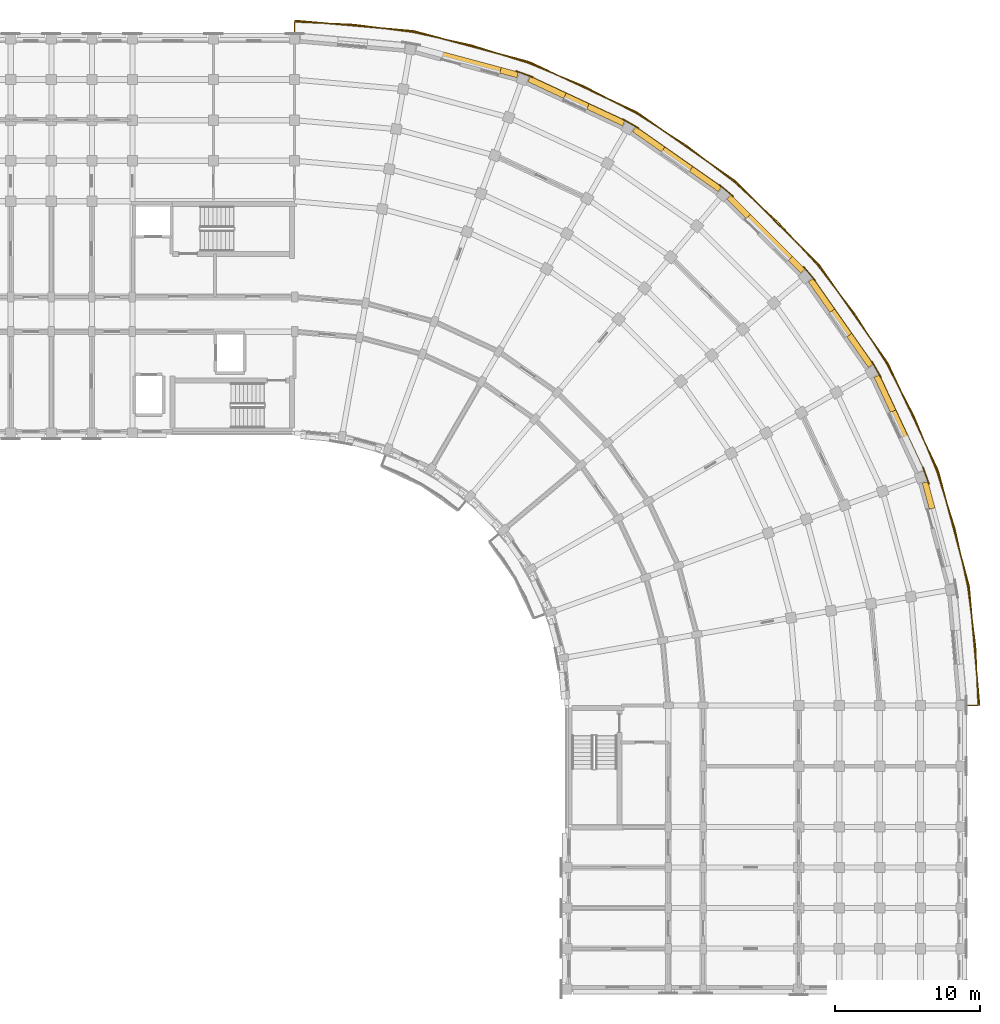
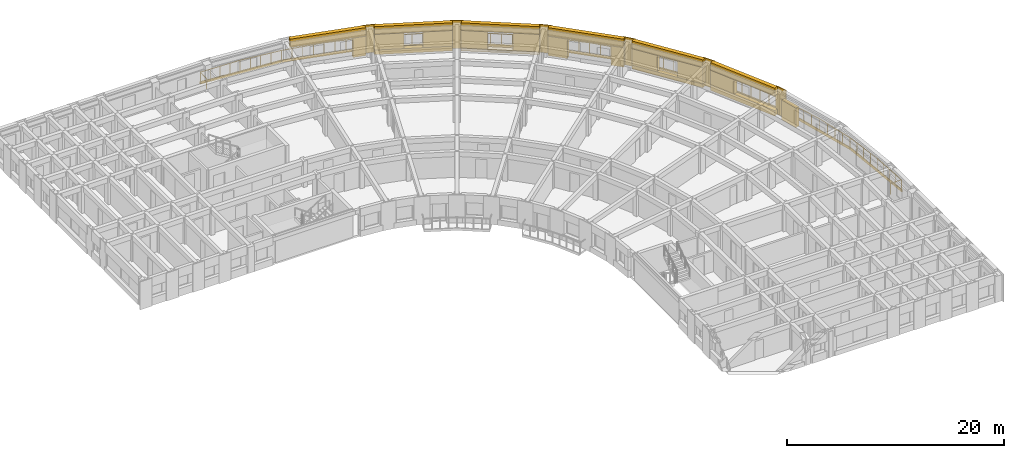
# One storey, part 55 of 57: 28 coverings, 1 railing.
"""IFC4 building model written with IfcOpenShell, lengths in metres."""

from ifc_helpers import new_model, si_unit, direction, frame, origin, origin_2d, place, context, subcontext, project, spatial, polyline, circle, outline, extrude, material, layer, layer_set, type_object, element, save


model = new_model("IFC4")

# Units and contexts
model_context = context("Model", 3, precision=1e-05, world=origin(), true_north=direction((0.0, 1.0)))
body_context = subcontext(model_context, "Body", "Model", "MODEL_VIEW")
ifc_project = project(units=[si_unit("LENGTHUNIT", "METRE"), si_unit("AREAUNIT", "SQUARE_METRE"), si_unit("VOLUMEUNIT", "CUBIC_METRE"), si_unit("PLANEANGLEUNIT", "RADIAN"), si_unit("MASSUNIT", "GRAM", prefix="KILO")], contexts=[model_context])

# Site, building, storey
site_placement = place(None, origin())
site = spatial("IfcSite", under=ifc_project, at=site_placement, CompositionType="ELEMENT")
building_placement = place(site_placement, origin())
building = spatial("IfcBuilding", under=site, at=building_placement, Name="Kiranvali Square Residences", CompositionType="ELEMENT")
storey_placement = place(building_placement, frame((0.0, 0.0, 21.300048828125)))
storey = spatial("IfcBuildingStorey", under=building, at=storey_placement, Name="L06", CompositionType="ELEMENT", Elevation=21.300048828125)

# Coverings
ifc_material_1 = material(Name="Carved Porbandar limestone classical entablature and cornice", Category="masonry")
ifc_layer_1 = layer(ifc_material_1, 0.072021484375)
ifc_layer_set_1 = layer_set([ifc_layer_1], Name="Carved Porbandar limestone classical entablature and cornice")
covering_type_1 = type_object("IfcCoveringType", Name="COV-CLAD-BAL", PredefinedType="CLADDING", material=ifc_layer_set_1)
covering_1_placement = place(storey_placement, frame((0.0, 0.0, -0.239990234375)))
element("IfcCovering", 1, at=covering_1_placement, inside=storey, type_object=covering_type_1, Name="Block B L06 continuous curved limestone balcony fascia", PredefinedType="CLADDING", context=body_context, shape_type="SweptSolid", body=[
    extrude(outline(polyline([(119.800048828125, 135.052001953125), (128.005126953125, 134.334228515625), (135.961181640625, 132.202392578125), (143.426025390625, 128.721435546875), (150.173095703125, 123.9970703125), (155.9970703125, 118.173095703125), (160.721435546875, 111.426025390625), (164.202392578125, 103.961181640625), (166.334228515625, 96.005126953125), (167.052001953125, 87.800048828125), (167.117919921875, 87.800048828125), (166.399169921875, 96.0166015625), (164.264404296875, 103.983642578125), (160.778564453125, 111.458984375), (156.047607421875, 118.21533203125), (150.21533203125, 124.047607421875), (143.458984375, 128.778564453125), (135.983642578125, 132.264404296875), (128.0166015625, 134.399169921875), (119.800048828125, 135.117919921875), (119.800048828125, 135.052001953125)])), origin(), (0.0, 0.0, 1.0), 0.300048828125),
])
ifc_material_2 = material(Name="Honed Porbandar limestone ashlar facade cladding", Category="masonry")
ifc_layer_2 = layer(ifc_material_2, 0.3798828125)
ifc_layer_set_2 = layer_set([ifc_layer_2], Name="Honed Porbandar limestone ashlar facade cladding")
covering_type_2 = type_object("IfcCoveringType", Name="COV-CLAD-JAMB", PredefinedType="CLADDING", material=ifc_layer_set_2)
covering_2_placement = place(storey_placement, origin())
element("IfcCovering", 2, at=covering_2_placement, inside=storey, type_object=covering_type_2, Name="L06 deep limestone window jamb reveal B-L06-CRV-01.R", PredefinedType="CLADDING", context=body_context, shape_type="SweptSolid", body=[
    extrude(outline(polyline([(133.961669921875, 131.447265625), (135.146728515625, 131.1298828125), (135.252685546875, 131.525390625), (134.067626953125, 131.843017578125), (133.961669921875, 131.447265625)])), origin(), (0.0, 0.0, 1.0), 2.179931640625),
])
covering_3_placement = place(storey_placement, frame((0.0, 0.0, 0.52197265625)))
element("IfcCovering", 3, at=covering_3_placement, inside=storey, type_object=covering_type_2, Name="L06 deep limestone window jamb reveal B-L06-CRV-02.L", PredefinedType="CLADDING", context=body_context, shape_type="SweptSolid", body=[
    extrude(outline(polyline([(135.895751953125, 130.857177734375), (138.373779296875, 129.70166015625), (138.546630859375, 130.072998046875), (136.068603515625, 131.228515625), (135.895751953125, 130.857177734375)])), origin(), (0.0, 0.0, 1.0), 1.75),
])
covering_4_placement = place(storey_placement, frame((0.0, 0.0, 0.52197265625)))
element("IfcCovering", 4, at=covering_4_placement, inside=storey, type_object=covering_type_2, Name="L06 deep limestone window jamb reveal B-L06-CRV-02.R", PredefinedType="CLADDING", context=body_context, shape_type="SweptSolid", body=[
    extrude(outline(polyline([(139.959716796875, 128.962158203125), (142.437744140625, 127.806640625), (142.61083984375, 128.177734375), (140.1328125, 129.333251953125), (139.959716796875, 128.962158203125)])), origin(), (0.0, 0.0, 1.0), 1.75),
])
covering_5_placement = place(storey_placement, frame((0.0, 0.0, 0.322021484375)))
element("IfcCovering", 5, at=covering_5_placement, inside=storey, type_object=covering_type_2, Name="L06 deep limestone window jamb reveal B-L06-CRV-03.L", PredefinedType="CLADDING", context=body_context, shape_type="SweptSolid", body=[
    extrude(outline(polyline([(143.1279296875, 127.408203125), (145.121826171875, 126.011962890625), (145.356689453125, 126.347412109375), (143.36279296875, 127.74365234375), (143.1279296875, 127.408203125)])), origin(), (0.0, 0.0, 1.0), 1.949951171875),
])
covering_6_placement = place(storey_placement, frame((0.0, 0.0, 0.322021484375)))
element("IfcCovering", 6, at=covering_6_placement, inside=storey, type_object=covering_type_2, Name="L06 deep limestone window jamb reveal B-L06-CRV-03.R", PredefinedType="CLADDING", context=body_context, shape_type="SweptSolid", body=[
    extrude(outline(polyline([(147.046875, 124.6640625), (149.040771484375, 123.267822265625), (149.275634765625, 123.603271484375), (147.28173828125, 124.99951171875), (147.046875, 124.6640625)])), origin(), (0.0, 0.0, 1.0), 1.949951171875),
])
covering_7_placement = place(storey_placement, origin())
element("IfcCovering", 7, at=covering_7_placement, inside=storey, type_object=covering_type_2, Name="L06 deep limestone window jamb reveal B-L06-CRV-04.L", PredefinedType="CLADDING", context=body_context, shape_type="SweptSolid", body=[
    extrude(outline(polyline([(149.6513671875, 122.755615234375), (150.978271484375, 121.4287109375), (151.267822265625, 121.71826171875), (149.94091796875, 123.045166015625), (149.6513671875, 122.755615234375)])), origin(), (0.0, 0.0, 1.0), 2.179931640625),
])
covering_8_placement = place(storey_placement, origin())
element("IfcCovering", 8, at=covering_8_placement, inside=storey, type_object=covering_type_2, Name="L06 deep limestone window jamb reveal B-L06-CRV-04.R", PredefinedType="CLADDING", context=body_context, shape_type="SweptSolid", body=[
    extrude(outline(polyline([(153.88818359375, 118.518798828125), (154.755615234375, 117.6513671875), (155.045166015625, 117.94091796875), (154.177734375, 118.808349609375), (153.88818359375, 118.518798828125)])), origin(), (0.0, 0.0, 1.0), 2.179931640625),
])
covering_9_placement = place(storey_placement, frame((0.0, 0.0, 0.421875)))
element("IfcCovering", 9, at=covering_9_placement, inside=storey, type_object=covering_type_2, Name="L06 deep limestone window jamb reveal B-L06-CRV-05.L", PredefinedType="CLADDING", context=body_context, shape_type="SweptSolid", body=[
    extrude(outline(polyline([(155.267822265625, 117.040771484375), (156.75, 114.924072265625), (157.08544921875, 115.158935546875), (155.603271484375, 117.275634765625), (155.267822265625, 117.040771484375)])), origin(), (0.0, 0.0, 1.0), 1.85009765625),
])
covering_10_placement = place(storey_placement, frame((0.0, 0.0, 0.421875)))
element("IfcCovering", 10, at=covering_10_placement, inside=storey, type_object=covering_type_2, Name="L06 deep limestone window jamb reveal B-L06-CRV-05.R", PredefinedType="CLADDING", context=body_context, shape_type="SweptSolid", body=[
    extrude(outline(polyline([(157.926025390625, 113.244873046875), (159.408203125, 111.1279296875), (159.74365234375, 111.36279296875), (158.261474609375, 113.479736328125), (157.926025390625, 113.244873046875)])), origin(), (0.0, 0.0, 1.0), 1.85009765625),
])
covering_11_placement = place(storey_placement, frame((0.0, 0.0, 0.6220703125)))
element("IfcCovering", 11, at=covering_11_placement, inside=storey, type_object=covering_type_2, Name="L06 deep limestone window jamb reveal B-L06-CRV-06.L", PredefinedType="CLADDING", context=body_context, shape_type="SweptSolid", body=[
    extrude(outline(polyline([(159.806640625, 110.437744140625), (160.930419921875, 108.027587890625), (161.301513671875, 108.20068359375), (160.177734375, 110.61083984375), (159.806640625, 110.437744140625)])), origin(), (0.0, 0.0, 1.0), 1.64990234375),
])
covering_12_placement = place(storey_placement, origin())
element("IfcCovering", 12, at=covering_12_placement, inside=storey, type_object=covering_type_2, Name="L06 deep limestone window jamb reveal B-L06-CRV-07.L", PredefinedType="CLADDING", context=body_context, shape_type="SweptSolid", body=[
    extrude(outline(polyline([(163.1298828125, 103.146728515625), (163.615478515625, 101.334228515625), (164.010986328125, 101.440185546875), (163.525390625, 103.252685546875), (163.1298828125, 103.146728515625)])), origin(), (0.0, 0.0, 1.0), 2.179931640625),
])
ifc_layer_3 = layer(ifc_material_2, 0.06494140625)
ifc_layer_set_3 = layer_set([ifc_layer_3], Name="Honed Porbandar limestone ashlar facade cladding")
covering_type_3 = type_object("IfcCoveringType", Name="COV-CLAD-PIER", PredefinedType="CLADDING", material=ifc_layer_set_3)
covering_13_placement = place(storey_placement, frame((0.0, 0.0, 0.0048828125)))
element("IfcCovering", 13, at=covering_13_placement, inside=storey, type_object=covering_type_3, Name="L06 Classical limestone corner pilaster CLAD-PR-B-L06-A02", PredefinedType="CLADDING", context=body_context, shape_type="SweptSolid", body=[
    extrude(outline(polyline([(136.267822265625, 131.203125), (135.083984375, 131.634033203125), (135.060791015625, 131.57080078125), (136.244873046875, 131.1396484375), (136.267822265625, 131.203125)])), origin(), (0.0, 0.0, 1.0), 3.14013671875),
])
covering_14_placement = place(storey_placement, frame((0.0, 0.0, 0.0048828125)))
element("IfcCovering", 14, at=covering_14_placement, inside=storey, type_object=covering_type_3, Name="L06 Classical limestone corner pilaster CLAD-PR-B-L06-A03", PredefinedType="CLADDING", context=body_context, shape_type="SweptSolid", body=[
    extrude(outline(polyline([(143.5546875, 127.68408203125), (142.46337890625, 128.314208984375), (142.4296875, 128.255615234375), (143.520751953125, 127.625732421875), (143.5546875, 127.68408203125)])), origin(), (0.0, 0.0, 1.0), 3.14013671875),
])
covering_15_placement = place(storey_placement, frame((0.0, 0.0, 0.0048828125)))
element("IfcCovering", 15, at=covering_15_placement, inside=storey, type_object=covering_type_3, Name="L06 Classical limestone corner pilaster CLAD-PR-B-L06-A04", PredefinedType="CLADDING", context=body_context, shape_type="SweptSolid", body=[
    extrude(outline(polyline([(150.11962890625, 122.953369140625), (149.154296875, 123.76318359375), (149.11083984375, 123.71142578125), (150.076171875, 122.901611328125), (150.11962890625, 122.953369140625)])), origin(), (0.0, 0.0, 1.0), 3.14013671875),
])
covering_16_placement = place(storey_placement, frame((0.0, 0.0, 0.0048828125)))
element("IfcCovering", 16, at=covering_16_placement, inside=storey, type_object=covering_type_3, Name="L06 Classical limestone corner pilaster CLAD-PR-B-L06-A05", PredefinedType="CLADDING", context=body_context, shape_type="SweptSolid", body=[
    extrude(outline(polyline([(155.76318359375, 117.154296875), (154.953369140625, 118.11962890625), (154.901611328125, 118.076171875), (155.71142578125, 117.11083984375), (155.76318359375, 117.154296875)])), origin(), (0.0, 0.0, 1.0), 3.14013671875),
])
covering_17_placement = place(storey_placement, frame((0.0, 0.0, 0.0048828125)))
element("IfcCovering", 17, at=covering_17_placement, inside=storey, type_object=covering_type_3, Name="L06 Classical limestone corner pilaster CLAD-PR-B-L06-A06", PredefinedType="CLADDING", context=body_context, shape_type="SweptSolid", body=[
    extrude(outline(polyline([(160.314208984375, 110.46337890625), (159.68408203125, 111.5546875), (159.625732421875, 111.520751953125), (160.255615234375, 110.4296875), (160.314208984375, 110.46337890625)])), origin(), (0.0, 0.0, 1.0), 3.14013671875),
])
covering_18_placement = place(storey_placement, frame((0.0, 0.0, 0.0048828125)))
element("IfcCovering", 18, at=covering_18_placement, inside=storey, type_object=covering_type_3, Name="L06 Classical limestone corner pilaster CLAD-PR-B-L06-A07", PredefinedType="CLADDING", context=body_context, shape_type="SweptSolid", body=[
    extrude(outline(polyline([(163.634033203125, 103.083984375), (163.203125, 104.267822265625), (163.1396484375, 104.244873046875), (163.57080078125, 103.060791015625), (163.634033203125, 103.083984375)])), origin(), (0.0, 0.0, 1.0), 3.14013671875),
])
ifc_layer_4 = layer(ifc_material_2, 0.360107421875)
ifc_layer_set_4 = layer_set([ifc_layer_4], Name="Honed Porbandar limestone ashlar facade cladding")
covering_type_4 = type_object("IfcCoveringType", Name="COV-CLAD-WALL", PredefinedType="CLADDING", material=ifc_layer_set_4)
covering_19_placement = place(storey_placement, frame((0.0, 0.0, 2.179931640625)))
element("IfcCovering", 19, at=covering_19_placement, inside=storey, type_object=covering_type_4, Name="L06 light limestone spandrel lintel B-L06-CRV-01", PredefinedType="CLADDING", context=body_context, shape_type="SweptSolid", body=[
    extrude(outline(polyline([(128.17431640625, 132.998046875), (135.146728515625, 131.1298828125), (135.252685546875, 131.525390625), (128.2802734375, 133.3935546875), (128.17431640625, 132.998046875)])), origin(), (0.0, 0.0, 1.0), 0.965087890625),
])
covering_20_placement = place(storey_placement, frame((0.0, 0.0, 2.27197265625)))
element("IfcCovering", 20, at=covering_20_placement, inside=storey, type_object=covering_type_4, Name="L06 light limestone spandrel lintel B-L06-CRV-02", PredefinedType="CLADDING", context=body_context, shape_type="SweptSolid", body=[
    extrude(outline(polyline([(135.895751953125, 130.857177734375), (142.437744140625, 127.806640625), (142.61083984375, 128.177734375), (136.068603515625, 131.228515625), (135.895751953125, 130.857177734375)])), origin(), (0.0, 0.0, 1.0), 0.873046875),
])
covering_21_placement = place(storey_placement, frame((0.0, 0.0, 0.0048828125)))
element("IfcCovering", 21, at=covering_21_placement, inside=storey, type_object=covering_type_4, Name="L06 limestone window sill apron B-L06-CRV-02", PredefinedType="CLADDING", context=body_context, shape_type="SweptSolid", body=[
    extrude(outline(polyline([(135.895751953125, 130.857177734375), (142.437744140625, 127.806640625), (142.62353515625, 128.205078125), (136.081298828125, 131.255615234375), (135.895751953125, 130.857177734375)])), origin(), (0.0, 0.0, 1.0), 0.51708984375),
])
covering_22_placement = place(storey_placement, frame((0.0, 0.0, 2.27197265625)))
element("IfcCovering", 22, at=covering_22_placement, inside=storey, type_object=covering_type_4, Name="L06 light limestone spandrel lintel B-L06-CRV-03", PredefinedType="CLADDING", context=body_context, shape_type="SweptSolid", body=[
    extrude(outline(polyline([(143.1279296875, 127.408203125), (149.040771484375, 123.267822265625), (149.275634765625, 123.603271484375), (143.36279296875, 127.74365234375), (143.1279296875, 127.408203125)])), origin(), (0.0, 0.0, 1.0), 0.873046875),
])
covering_23_placement = place(storey_placement, frame((0.0, 0.0, 0.0048828125)))
element("IfcCovering", 23, at=covering_23_placement, inside=storey, type_object=covering_type_4, Name="L06 limestone window sill apron B-L06-CRV-03", PredefinedType="CLADDING", context=body_context, shape_type="SweptSolid", body=[
    extrude(outline(polyline([(143.1279296875, 127.408203125), (149.040771484375, 123.267822265625), (149.29296875, 123.6279296875), (143.380126953125, 127.76806640625), (143.1279296875, 127.408203125)])), origin(), (0.0, 0.0, 1.0), 0.317138671875),
])
covering_24_placement = place(storey_placement, frame((0.0, 0.0, 2.179931640625)))
element("IfcCovering", 24, at=covering_24_placement, inside=storey, type_object=covering_type_4, Name="L06 light limestone spandrel lintel B-L06-CRV-04", PredefinedType="CLADDING", context=body_context, shape_type="SweptSolid", body=[
    extrude(outline(polyline([(149.6513671875, 122.755615234375), (154.755615234375, 117.6513671875), (155.045166015625, 117.94091796875), (149.94091796875, 123.045166015625), (149.6513671875, 122.755615234375)])), origin(), (0.0, 0.0, 1.0), 0.965087890625),
])
covering_25_placement = place(storey_placement, frame((0.0, 0.0, 2.27197265625)))
element("IfcCovering", 25, at=covering_25_placement, inside=storey, type_object=covering_type_4, Name="L06 light limestone spandrel lintel B-L06-CRV-05", PredefinedType="CLADDING", context=body_context, shape_type="SweptSolid", body=[
    extrude(outline(polyline([(155.267822265625, 117.040771484375), (159.408203125, 111.1279296875), (159.74365234375, 111.36279296875), (155.603271484375, 117.275634765625), (155.267822265625, 117.040771484375)])), origin(), (0.0, 0.0, 1.0), 0.873046875),
])
covering_26_placement = place(storey_placement, frame((0.0, 0.0, 0.0048828125)))
element("IfcCovering", 26, at=covering_26_placement, inside=storey, type_object=covering_type_4, Name="L06 limestone window sill apron B-L06-CRV-05", PredefinedType="CLADDING", context=body_context, shape_type="SweptSolid", body=[
    extrude(outline(polyline([(155.267822265625, 117.040771484375), (159.408203125, 111.1279296875), (159.76806640625, 111.380126953125), (155.6279296875, 117.29296875), (155.267822265625, 117.040771484375)])), origin(), (0.0, 0.0, 1.0), 0.4169921875),
])
covering_27_placement = place(storey_placement, frame((0.0, 0.0, 2.27197265625)))
element("IfcCovering", 27, at=covering_27_placement, inside=storey, type_object=covering_type_4, Name="L06 light limestone spandrel lintel B-L06-CRV-06", PredefinedType="CLADDING", context=body_context, shape_type="SweptSolid", body=[
    extrude(outline(polyline([(159.806640625, 110.437744140625), (162.857177734375, 103.895751953125), (163.228515625, 104.068603515625), (160.177734375, 110.61083984375), (159.806640625, 110.437744140625)])), origin(), (0.0, 0.0, 1.0), 0.873046875),
])
covering_28_placement = place(storey_placement, frame((0.0, 0.0, 0.0048828125)))
element("IfcCovering", 28, at=covering_28_placement, inside=storey, type_object=covering_type_4, Name="L06 limestone window sill apron B-L06-CRV-06", PredefinedType="CLADDING", context=body_context, shape_type="SweptSolid", body=[
    extrude(outline(polyline([(159.806640625, 110.437744140625), (162.857177734375, 103.895751953125), (163.255615234375, 104.081298828125), (160.205078125, 110.62353515625), (159.806640625, 110.437744140625)])), origin(), (0.0, 0.0, 1.0), 0.6171875),
])

# Railing
ifc_material_3 = material(Name="Powder-coated architectural bronze balustrade", Category="steel")
railing_type = type_object("IfcRailingType", Name="RL-BAL-GOLD-1200", PredefinedType="BALUSTRADE", material=ifc_material_3)
railing_placement = place(storey_placement, frame((119.800048828125, 133.840087890625, 0.0)))
element("IfcRailing", 29, at=railing_placement, inside=storey, type_object=railing_type, Name="Block B L06 continuous curved corner gold balustrade", PredefinedType="BALUSTRADE", context=body_context, shape_type="SweptSolid", body=[
    extrude(circle(Radius=0.02392578125, at=origin_2d()), frame((0.0, 0.0, 1.17578125), z_axis=(0.0, 1.0, 0.0), x_axis=(-1.0, 0.0, 0.0)), (0.0, 0.0, 1.0), 1.14990234375),
    extrude(circle(Radius=0.02392578125, at=origin_2d()), frame((0.0, 1.14990234375, 1.17578125), z_axis=(0.999049544955, -0.043589066576, 0.0), x_axis=(0.043589066576, 0.999049544955, 0.0)), (0.0, 0.0, 1.0), 4.11669921875),
    extrude(circle(Radius=0.02392578125, at=origin_2d()), frame((4.11279296875, 0.970458984375, 1.17578125), z_axis=(0.991444603928, -0.1305281477, 0.0), x_axis=(0.1305281477, 0.991444603928, 0.0)), (0.0, 0.0, 1.0), 4.11669921875),
    extrude(circle(Radius=0.02392578125, at=origin_2d()), frame((8.1943359375, 0.43310546875, 1.17578125), z_axis=(0.976292989924, -0.216453223181, 0.0), x_axis=(0.216453223181, 0.976292989924, 0.0)), (0.0, 0.0, 1.0), 4.116943359375),
    extrude(circle(Radius=0.02392578125, at=origin_2d()), frame((12.213623046875, -0.4580078125, 1.17578125), z_axis=(0.953710744932, -0.300725481131, 0.0), x_axis=(0.300725481131, 0.953710744932, 0.0)), (0.0, 0.0, 1.0), 4.116943359375),
    extrude(circle(Radius=0.02392578125, at=origin_2d()), frame((16.139892578125, -1.696044921875, 1.17578125), z_axis=(0.923880226262, -0.382681757498, 0.0), x_axis=(0.382681757498, 0.923880226262, 0.0)), (0.0, 0.0, 1.0), 4.116943359375),
    extrude(circle(Radius=0.02392578125, at=origin_2d()), frame((19.943359375, -3.271484375, 1.17578125), z_axis=(0.887013781313, -0.461742949877, 0.0), x_axis=(0.461742949877, 0.887013781313, 0.0)), (0.0, 0.0, 1.0), 4.11669921875),
    extrude(circle(Radius=0.02392578125, at=origin_2d()), frame((23.594970703125, -5.17236328125, 1.17578125), z_axis=(0.843402550976, -0.537282176335, 0.0), x_axis=(0.537282176335, 0.843402550976, 0.0)), (0.0, 0.0, 1.0), 4.116943359375),
    extrude(circle(Radius=0.02392578125, at=origin_2d()), frame((27.067138671875, -7.38427734375, 1.17578125), z_axis=(0.793339967331, -0.608778856594, 0.0), x_axis=(0.608778856594, 0.793339967331, 0.0)), (0.0, 0.0, 1.0), 4.11669921875),
    extrude(circle(Radius=0.02392578125, at=origin_2d()), frame((30.3330078125, -9.890380859375, 1.17578125), z_axis=(0.737299356654, -0.675566176386, 0.0), x_axis=(0.675566176386, 0.737299356654, 0.0)), (0.0, 0.0, 1.0), 4.116943359375),
    extrude(circle(Radius=0.02392578125, at=origin_2d()), frame((33.368408203125, -12.671630859375, 1.17578125), z_axis=(0.675566176386, -0.737299356654, 0.0), x_axis=(0.737299356654, 0.675566176386, 0.0)), (0.0, 0.0, 1.0), 4.116943359375),
    extrude(circle(Radius=0.02392578125, at=origin_2d()), frame((36.149658203125, -15.70703125, 1.17578125), z_axis=(0.608778856594, -0.793339967331, 0.0), x_axis=(0.793339967331, 0.608778856594, 0.0)), (0.0, 0.0, 1.0), 4.11669921875),
    extrude(circle(Radius=0.02392578125, at=origin_2d()), frame((38.65576171875, -18.972900390625, 1.17578125), z_axis=(0.537282176335, -0.843402550976, 0.0), x_axis=(0.843402550976, 0.537282176335, 0.0)), (0.0, 0.0, 1.0), 4.116943359375),
    extrude(circle(Radius=0.02392578125, at=origin_2d()), frame((40.86767578125, -22.445068359375, 1.17578125), z_axis=(0.461742949877, -0.887013781313, 0.0), x_axis=(0.887013781313, 0.461742949877, 0.0)), (0.0, 0.0, 1.0), 4.11669921875),
    extrude(circle(Radius=0.02392578125, at=origin_2d()), frame((42.7685546875, -26.0966796875, 1.17578125), z_axis=(0.382681757498, -0.923880226262, 0.0), x_axis=(0.923880226262, 0.382681757498, 0.0)), (0.0, 0.0, 1.0), 4.116943359375),
    extrude(circle(Radius=0.02392578125, at=origin_2d()), frame((44.343994140625, -29.900146484375, 1.17578125), z_axis=(0.300725481131, -0.953710744932, 0.0), x_axis=(0.953710744932, 0.300725481131, 0.0)), (0.0, 0.0, 1.0), 4.116943359375),
    extrude(circle(Radius=0.02392578125, at=origin_2d()), frame((45.58203125, -33.826416015625, 1.17578125), z_axis=(0.216453223181, -0.976292989924, 0.0), x_axis=(0.976292989924, 0.216453223181, 0.0)), (0.0, 0.0, 1.0), 4.116943359375),
    extrude(circle(Radius=0.02392578125, at=origin_2d()), frame((46.47314453125, -37.845703125, 1.17578125), z_axis=(0.1305281477, -0.991444603928, 0.0), x_axis=(0.991444603928, 0.1305281477, 0.0)), (0.0, 0.0, 1.0), 4.11669921875),
    extrude(circle(Radius=0.02392578125, at=origin_2d()), frame((47.010498046875, -41.92724609375, 1.17578125), z_axis=(0.043589066576, -0.999049544955, 0.0), x_axis=(0.999049544955, 0.043589066576, 0.0)), (0.0, 0.0, 1.0), 4.11669921875),
    extrude(circle(Radius=0.02392578125, at=origin_2d()), frame((47.18994140625, -46.0400390625, 1.17578125), z_axis=(-1.0, 0.0, 0.0), x_axis=(0.0, -1.0, 0.0)), (0.0, 0.0, 1.0), 1.14990234375),
    extrude(circle(Radius=0.02099609375, at=origin_2d()), origin(), (0.0, 0.0, 1.0), 1.15185546875),
    extrude(circle(Radius=0.02099609375, at=origin_2d()), frame((0.0, 1.14990234375, 0.0)), (0.0, 0.0, 1.0), 1.15185546875),
    extrude(circle(Radius=0.02099609375, at=origin_2d()), frame((1.0283203125, 1.10498046875, 0.0)), (0.0, 0.0, 1.0), 1.15185546875),
    extrude(circle(Radius=0.02099609375, at=origin_2d()), frame((2.056396484375, 1.06005859375, 0.0)), (0.0, 0.0, 1.0), 1.15185546875),
    extrude(circle(Radius=0.02099609375, at=origin_2d()), frame((3.08447265625, 1.015380859375, 0.0)), (0.0, 0.0, 1.0), 1.15185546875),
    extrude(circle(Radius=0.02099609375, at=origin_2d()), frame((4.11279296875, 0.970458984375, 0.0)), (0.0, 0.0, 1.0), 1.15185546875),
    extrude(circle(Radius=0.02099609375, at=origin_2d()), frame((5.13330078125, 0.836181640625, 0.0)), (0.0, 0.0, 1.0), 1.15185546875),
    extrude(circle(Radius=0.02099609375, at=origin_2d()), frame((6.153564453125, 0.70166015625, 0.0)), (0.0, 0.0, 1.0), 1.15185546875),
    extrude(circle(Radius=0.02099609375, at=origin_2d()), frame((7.173828125, 0.5673828125, 0.0)), (0.0, 0.0, 1.0), 1.15185546875),
    extrude(circle(Radius=0.02099609375, at=origin_2d()), frame((8.1943359375, 0.43310546875, 0.0)), (0.0, 0.0, 1.0), 1.15185546875),
    extrude(circle(Radius=0.02099609375, at=origin_2d()), frame((9.19921875, 0.21044921875, 0.0)), (0.0, 0.0, 1.0), 1.15185546875),
    extrude(circle(Radius=0.02099609375, at=origin_2d()), frame((10.2041015625, -0.012451171875, 0.0)), (0.0, 0.0, 1.0), 1.15185546875),
    extrude(circle(Radius=0.02099609375, at=origin_2d()), frame((11.208740234375, -0.2353515625, 0.0)), (0.0, 0.0, 1.0), 1.15185546875),
    extrude(circle(Radius=0.02099609375, at=origin_2d()), frame((12.213623046875, -0.4580078125, 0.0)), (0.0, 0.0, 1.0), 1.15185546875),
    extrude(circle(Radius=0.02099609375, at=origin_2d()), frame((13.1953125, -0.767578125, 0.0)), (0.0, 0.0, 1.0), 1.15185546875),
    extrude(circle(Radius=0.02099609375, at=origin_2d()), frame((14.1767578125, -1.0771484375, 0.0)), (0.0, 0.0, 1.0), 1.15185546875),
    extrude(circle(Radius=0.02099609375, at=origin_2d()), frame((15.158203125, -1.386474609375, 0.0)), (0.0, 0.0, 1.0), 1.15185546875),
    extrude(circle(Radius=0.02099609375, at=origin_2d()), frame((16.139892578125, -1.696044921875, 0.0)), (0.0, 0.0, 1.0), 1.15185546875),
    extrude(circle(Radius=0.02099609375, at=origin_2d()), frame((17.0908203125, -2.08984375, 0.0)), (0.0, 0.0, 1.0), 1.15185546875),
    extrude(circle(Radius=0.02099609375, at=origin_2d()), frame((18.04150390625, -2.48388671875, 0.0)), (0.0, 0.0, 1.0), 1.15185546875),
    extrude(circle(Radius=0.02099609375, at=origin_2d()), frame((18.992431640625, -2.877685546875, 0.0)), (0.0, 0.0, 1.0), 1.15185546875),
    extrude(circle(Radius=0.02099609375, at=origin_2d()), frame((19.943359375, -3.271484375, 0.0)), (0.0, 0.0, 1.0), 1.15185546875),
    extrude(circle(Radius=0.02099609375, at=origin_2d()), frame((20.856201171875, -3.74658203125, 0.0)), (0.0, 0.0, 1.0), 1.15185546875),
    extrude(circle(Radius=0.02099609375, at=origin_2d()), frame((21.76904296875, -4.221923828125, 0.0)), (0.0, 0.0, 1.0), 1.15185546875),
    extrude(circle(Radius=0.02099609375, at=origin_2d()), frame((22.68212890625, -4.697265625, 0.0)), (0.0, 0.0, 1.0), 1.15185546875),
    extrude(circle(Radius=0.02099609375, at=origin_2d()), frame((23.594970703125, -5.17236328125, 0.0)), (0.0, 0.0, 1.0), 1.15185546875),
    extrude(circle(Radius=0.02099609375, at=origin_2d()), frame((24.462890625, -5.725341796875, 0.0)), (0.0, 0.0, 1.0), 1.15185546875),
    extrude(circle(Radius=0.02099609375, at=origin_2d()), frame((25.3310546875, -6.2783203125, 0.0)), (0.0, 0.0, 1.0), 1.15185546875),
    extrude(circle(Radius=0.02099609375, at=origin_2d()), frame((26.19921875, -6.831298828125, 0.0)), (0.0, 0.0, 1.0), 1.15185546875),
    extrude(circle(Radius=0.02099609375, at=origin_2d()), frame((27.067138671875, -7.38427734375, 0.0)), (0.0, 0.0, 1.0), 1.15185546875),
    extrude(circle(Radius=0.02099609375, at=origin_2d()), frame((27.883544921875, -8.0107421875, 0.0)), (0.0, 0.0, 1.0), 1.15185546875),
    extrude(circle(Radius=0.02099609375, at=origin_2d()), frame((28.7001953125, -8.63720703125, 0.0)), (0.0, 0.0, 1.0), 1.15185546875),
    extrude(circle(Radius=0.02099609375, at=origin_2d()), frame((29.5166015625, -9.263916015625, 0.0)), (0.0, 0.0, 1.0), 1.15185546875),
    extrude(circle(Radius=0.02099609375, at=origin_2d()), frame((30.3330078125, -9.890380859375, 0.0)), (0.0, 0.0, 1.0), 1.15185546875),
    extrude(circle(Radius=0.02099609375, at=origin_2d()), frame((31.091796875, -10.585693359375, 0.0)), (0.0, 0.0, 1.0), 1.15185546875),
    extrude(circle(Radius=0.02099609375, at=origin_2d()), frame((31.8505859375, -11.281005859375, 0.0)), (0.0, 0.0, 1.0), 1.15185546875),
    extrude(circle(Radius=0.02099609375, at=origin_2d()), frame((32.609619140625, -11.976318359375, 0.0)), (0.0, 0.0, 1.0), 1.15185546875),
    extrude(circle(Radius=0.02099609375, at=origin_2d()), frame((33.368408203125, -12.671630859375, 0.0)), (0.0, 0.0, 1.0), 1.15185546875),
    extrude(circle(Radius=0.02099609375, at=origin_2d()), frame((34.063720703125, -13.430419921875, 0.0)), (0.0, 0.0, 1.0), 1.15185546875),
    extrude(circle(Radius=0.02099609375, at=origin_2d()), frame((34.759033203125, -14.189453125, 0.0)), (0.0, 0.0, 1.0), 1.15185546875),
    extrude(circle(Radius=0.02099609375, at=origin_2d()), frame((35.454345703125, -14.9482421875, 0.0)), (0.0, 0.0, 1.0), 1.15185546875),
    extrude(circle(Radius=0.02099609375, at=origin_2d()), frame((36.149658203125, -15.70703125, 0.0)), (0.0, 0.0, 1.0), 1.15185546875),
    extrude(circle(Radius=0.02099609375, at=origin_2d()), frame((36.776123046875, -16.5234375, 0.0)), (0.0, 0.0, 1.0), 1.15185546875),
    extrude(circle(Radius=0.02099609375, at=origin_2d()), frame((37.40283203125, -17.33984375, 0.0)), (0.0, 0.0, 1.0), 1.15185546875),
    extrude(circle(Radius=0.02099609375, at=origin_2d()), frame((38.029296875, -18.156494140625, 0.0)), (0.0, 0.0, 1.0), 1.15185546875),
    extrude(circle(Radius=0.02099609375, at=origin_2d()), frame((38.65576171875, -18.972900390625, 0.0)), (0.0, 0.0, 1.0), 1.15185546875),
    extrude(circle(Radius=0.02099609375, at=origin_2d()), frame((39.208740234375, -19.8408203125, 0.0)), (0.0, 0.0, 1.0), 1.15185546875),
    extrude(circle(Radius=0.02099609375, at=origin_2d()), frame((39.76171875, -20.708984375, 0.0)), (0.0, 0.0, 1.0), 1.15185546875),
    extrude(circle(Radius=0.02099609375, at=origin_2d()), frame((40.314697265625, -21.5771484375, 0.0)), (0.0, 0.0, 1.0), 1.15185546875),
    extrude(circle(Radius=0.02099609375, at=origin_2d()), frame((40.86767578125, -22.445068359375, 0.0)), (0.0, 0.0, 1.0), 1.15185546875),
    extrude(circle(Radius=0.02099609375, at=origin_2d()), frame((41.3427734375, -23.35791015625, 0.0)), (0.0, 0.0, 1.0), 1.15185546875),
    extrude(circle(Radius=0.02099609375, at=origin_2d()), frame((41.818115234375, -24.27099609375, 0.0)), (0.0, 0.0, 1.0), 1.15185546875),
    extrude(circle(Radius=0.02099609375, at=origin_2d()), frame((42.29345703125, -25.183837890625, 0.0)), (0.0, 0.0, 1.0), 1.15185546875),
    extrude(circle(Radius=0.02099609375, at=origin_2d()), frame((42.7685546875, -26.0966796875, 0.0)), (0.0, 0.0, 1.0), 1.15185546875),
    extrude(circle(Radius=0.02099609375, at=origin_2d()), frame((43.162353515625, -27.047607421875, 0.0)), (0.0, 0.0, 1.0), 1.15185546875),
    extrude(circle(Radius=0.02099609375, at=origin_2d()), frame((43.55615234375, -27.99853515625, 0.0)), (0.0, 0.0, 1.0), 1.15185546875),
    extrude(circle(Radius=0.02099609375, at=origin_2d()), frame((43.9501953125, -28.94921875, 0.0)), (0.0, 0.0, 1.0), 1.15185546875),
    extrude(circle(Radius=0.02099609375, at=origin_2d()), frame((44.343994140625, -29.900146484375, 0.0)), (0.0, 0.0, 1.0), 1.15185546875),
    extrude(circle(Radius=0.02099609375, at=origin_2d()), frame((44.653564453125, -30.8818359375, 0.0)), (0.0, 0.0, 1.0), 1.15185546875),
    extrude(circle(Radius=0.02099609375, at=origin_2d()), frame((44.962890625, -31.86328125, 0.0)), (0.0, 0.0, 1.0), 1.15185546875),
    extrude(circle(Radius=0.02099609375, at=origin_2d()), frame((45.2724609375, -32.8447265625, 0.0)), (0.0, 0.0, 1.0), 1.15185546875),
    extrude(circle(Radius=0.02099609375, at=origin_2d()), frame((45.58203125, -33.826416015625, 0.0)), (0.0, 0.0, 1.0), 1.15185546875),
    extrude(circle(Radius=0.02099609375, at=origin_2d()), frame((45.8046875, -34.831298828125, 0.0)), (0.0, 0.0, 1.0), 1.15185546875),
    extrude(circle(Radius=0.02099609375, at=origin_2d()), frame((46.027587890625, -35.8359375, 0.0)), (0.0, 0.0, 1.0), 1.15185546875),
    extrude(circle(Radius=0.02099609375, at=origin_2d()), frame((46.25048828125, -36.8408203125, 0.0)), (0.0, 0.0, 1.0), 1.15185546875),
    extrude(circle(Radius=0.02099609375, at=origin_2d()), frame((46.47314453125, -37.845703125, 0.0)), (0.0, 0.0, 1.0), 1.15185546875),
    extrude(circle(Radius=0.02099609375, at=origin_2d()), frame((46.607421875, -38.8662109375, 0.0)), (0.0, 0.0, 1.0), 1.15185546875),
    extrude(circle(Radius=0.02099609375, at=origin_2d()), frame((46.74169921875, -39.886474609375, 0.0)), (0.0, 0.0, 1.0), 1.15185546875),
    extrude(circle(Radius=0.02099609375, at=origin_2d()), frame((46.876220703125, -40.90673828125, 0.0)), (0.0, 0.0, 1.0), 1.15185546875),
    extrude(circle(Radius=0.02099609375, at=origin_2d()), frame((47.010498046875, -41.92724609375, 0.0)), (0.0, 0.0, 1.0), 1.15185546875),
    extrude(circle(Radius=0.02099609375, at=origin_2d()), frame((47.055419921875, -42.95556640625, 0.0)), (0.0, 0.0, 1.0), 1.15185546875),
    extrude(circle(Radius=0.02099609375, at=origin_2d()), frame((47.10009765625, -43.983642578125, 0.0)), (0.0, 0.0, 1.0), 1.15185546875),
    extrude(circle(Radius=0.02099609375, at=origin_2d()), frame((47.14501953125, -45.01171875, 0.0)), (0.0, 0.0, 1.0), 1.15185546875),
    extrude(circle(Radius=0.02099609375, at=origin_2d()), frame((47.18994140625, -46.0400390625, 0.0)), (0.0, 0.0, 1.0), 1.15185546875),
    extrude(circle(Radius=0.02099609375, at=origin_2d()), frame((46.0400390625, -46.0400390625, 0.0)), (0.0, 0.0, 1.0), 1.15185546875),
])

save(model, "model.ifc")
